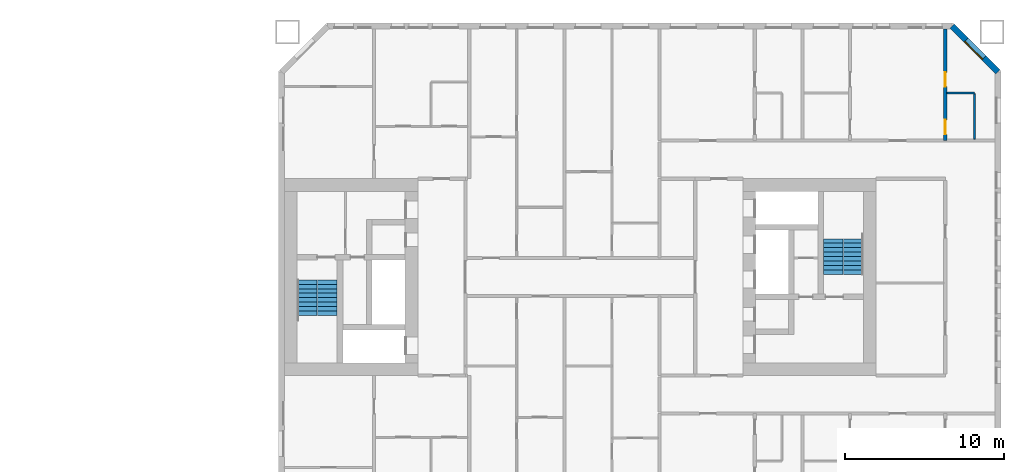
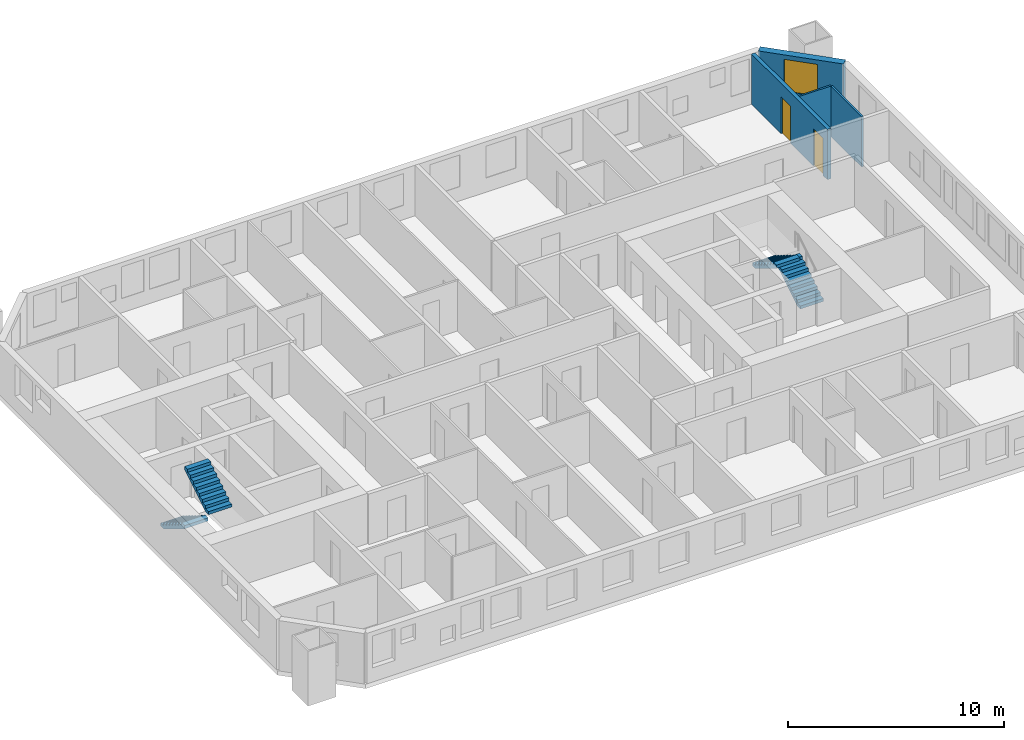
# One storey, part 15 of 17: 4 stair flights, 4 walls, 2 doors, 1 window, 3 openings, 2 elements without a shape of their own.
"""IFC4 building model written with IfcOpenShell, lengths in metres."""

from ifc_helpers import new_model, si_unit, direction, frame, frame_2d, origin, place, context, subcontext, project, spatial, polyline, rectangle, outline, extrude, material, layer, layer_set, type_object, element, fill, aggregate, save


model = new_model("IFC4")

# Units and contexts
model_context = context("Model", 3, precision=1e-05, world=origin(), true_north=direction((0.0, 1.0)))
body_context = subcontext(model_context, "Body", "Model", "MODEL_VIEW")
ifc_project = project(units=[si_unit("LENGTHUNIT", "METRE"), si_unit("AREAUNIT", "SQUARE_METRE"), si_unit("VOLUMEUNIT", "CUBIC_METRE"), si_unit("PLANEANGLEUNIT", "RADIAN"), si_unit("MASSUNIT", "GRAM", prefix="KILO")], contexts=[model_context])

# Site, building, storey
site_placement = place(None, origin())
site = spatial("IfcSite", under=ifc_project, at=site_placement, CompositionType="ELEMENT")
building_placement = place(site_placement, origin())
building = spatial("IfcBuilding", under=site, at=building_placement, Name="Tuart Gate Housing", CompositionType="ELEMENT")
storey_placement = place(building_placement, frame((0.0, 0.0, 47.39990234375)))
storey = spatial("IfcBuildingStorey", under=building, at=storey_placement, Name="L12", CompositionType="ELEMENT", Elevation=47.39990234375)

# Wall, opening, window
ifc_material_1 = material(Name="Brick", Category="masonry")
ifc_layer_1 = layer(ifc_material_1, 0.360107421875)
ifc_layer_set_1 = layer_set([ifc_layer_1], Name="Brick pier and spandrel wall 360")
wall_type_1 = type_object("IfcWallType", Name="Brick pier and spandrel wall 360", PredefinedType="STANDARD", material=ifc_layer_set_1)
wall_1_placement = place(storey_placement, frame((176.320068359375, 82.92529296875, 0.0), z_axis=(0.0, 0.0, 1.0), x_axis=(-0.707106781187, 0.707106781187, 0.0)))
wall_1 = element("IfcWall", 1, at=wall_1_placement, inside=storey, type_object=wall_type_1, Name="External wall B-NE L12", PredefinedType="STANDARD", context=body_context, shape_type="SweptSolid", body=[
    extrude(rectangle(XDim=4.09375, YDim=0.360107421875, at=frame_2d((2.046875, 0.0))), origin(), (0.0, 0.0, 1.0), 2.85009765625),
])
opening_1_placement = place(wall_1_placement, frame((1.2470703125, 0.0, 0.800048828125)))
opening_1 = element("IfcOpeningElement", 2, at=opening_1_placement, cuts=wall_1, Name="Opening W1", PredefinedType="OPENING", context=body_context, shape_type="SweptSolid", body=[
    extrude(rectangle(XDim=1.60009765625, YDim=1.800048828125, at=frame_2d((0.800048828125, 0.89990234375))), frame((0.0, 0.18994140625, 0.0), z_axis=(0.0, -1.0, 0.0), x_axis=(1.0, 0.0, 0.0)), (0.0, 0.0, 1.0), 0.380126953125),
])
ifc_material_2 = material(Name="Aluminium frame with clear glass", Category="aluminium")
window_type = type_object("IfcWindowType", Name="Punched window 1600 x 1800", PartitioningType="SINGLE_PANEL", PredefinedType="WINDOW", material=ifc_material_2)
window_placement = place(opening_1_placement, origin())
window = element("IfcWindow", 3, at=window_placement, inside=storey, type_object=window_type, Name="Window W1", OverallHeight=1.800048828125, OverallWidth=1.60009765625, PartitioningType="SINGLE_PANEL", PredefinedType="WINDOW", context=body_context, shape_type="SweptSolid", body=[
    extrude(rectangle(XDim=1.60009765625, YDim=1.800048828125, at=frame_2d((0.800048828125, 0.89990234375))), frame((0.0, 0.150146484375, 0.0), z_axis=(0.0, -1.0, 0.0), x_axis=(1.0, 0.0, 0.0)), (0.0, 0.0, 1.0), 0.06005859375),
])
fill(opening_1, window)

# Walls
ifc_material_3 = material(Name="Gypsum board on steel studs", Category="steel")
ifc_layer_2 = layer(ifc_material_3, 0.10009765625)
ifc_layer_set_2 = layer_set([ifc_layer_2], Name="Partition 100")
wall_type_2 = type_object("IfcWallType", Name="Partition 100", PredefinedType="PARTITIONING", material=ifc_layer_set_2)
wall_2_placement = place(storey_placement, frame((173.10009765625, 81.60009765625, 0.0), z_axis=(0.0, 0.0, 1.0), x_axis=(1.0, 0.0, 0.0)))
element("IfcWall", 4, at=wall_2_placement, inside=storey, type_object=wall_type_2, Name="Partition 100", PredefinedType="PARTITIONING", context=body_context, shape_type="SweptSolid", body=[
    extrude(rectangle(XDim=1.739990234375, YDim=0.10009765625, at=frame_2d((0.8701171875, 0.0))), origin(), (0.0, 0.0, 1.0), 2.85009765625),
])
wall_3_placement = place(storey_placement, frame((174.840087890625, 78.699951171875, 0.0), z_axis=(0.0, 0.0, 1.0), x_axis=(0.0, 1.0, 0.0)))
element("IfcWall", 5, at=wall_3_placement, inside=storey, type_object=wall_type_2, Name="Partition 100", PredefinedType="PARTITIONING", context=body_context, shape_type="SweptSolid", body=[
    extrude(rectangle(XDim=2.85009765625, YDim=0.10009765625, at=frame_2d((1.425048828125, 0.0))), origin(), (0.0, 0.0, 1.0), 2.85009765625),
])

# Wall, openings, doors
ifc_material_4 = material(Name="Concrete C40", Category="concrete")
ifc_layer_3 = layer(ifc_material_4, 0.199951171875)
ifc_layer_set_3 = layer_set([ifc_layer_3], Name="Party wall concrete C40 200")
wall_type_3 = type_object("IfcWallType", Name="Party wall concrete C40 200", PredefinedType="SOLIDWALL", material=ifc_layer_set_3)
wall_4_placement = place(storey_placement, frame((173.0, 78.60009765625, 0.0), z_axis=(0.0, 0.0, 1.0), x_axis=(0.0, 1.0, 0.0)))
wall_4 = element("IfcWall", 6, at=wall_4_placement, inside=storey, type_object=wall_type_3, Name="Party wall concrete C40 200", PredefinedType="SOLIDWALL", context=body_context, shape_type="SweptSolid", body=[
    extrude(rectangle(XDim=7.039794921875, YDim=0.199951171875, at=frame_2d((3.52001953125, 0.0))), origin(), (0.0, 0.0, 1.0), 2.85009765625),
])
opening_2_placement = place(wall_4_placement, frame((3.39990234375, 0.0, 0.0)))
opening_2 = element("IfcOpeningElement", 7, at=opening_2_placement, cuts=wall_4, Name="Opening D661", PredefinedType="OPENING", context=body_context, shape_type="SweptSolid", body=[
    extrude(rectangle(XDim=0.89990234375, YDim=2.10009765625, at=frame_2d((0.449951171875, 1.050048828125))), frame((0.0, 0.10986328125, 0.0), z_axis=(0.0, -1.0, 0.0), x_axis=(1.0, 0.0, 0.0)), (0.0, 0.0, 1.0), 0.219970703125),
])
opening_3_placement = place(wall_4_placement, frame((0.39990234375, 0.0, 0.0)))
opening_3 = element("IfcOpeningElement", 8, at=opening_3_placement, cuts=wall_4, Name="Opening D660", PredefinedType="OPENING", context=body_context, shape_type="SweptSolid", body=[
    extrude(rectangle(XDim=0.89990234375, YDim=2.10009765625, at=frame_2d((0.449951171875, 1.050048828125))), frame((0.0, 0.10986328125, 0.0), z_axis=(0.0, -1.0, 0.0), x_axis=(1.0, 0.0, 0.0)), (0.0, 0.0, 1.0), 0.219970703125),
])
ifc_material_5 = material(Name="Timber door leaf in steel frame", Category="steel")
door_type_1 = type_object("IfcDoorType", Name="Bathroom door 900 RH", OperationType="SINGLE_SWING_RIGHT", PredefinedType="DOOR", material=ifc_material_5)
door_1_placement = place(opening_3_placement, frame((0.89990234375, 0.0, 0.0), z_axis=(0.0, 0.0, 1.0), x_axis=(-1.0, 0.0, 0.0)))
door_1 = element("IfcDoor", 9, at=door_1_placement, inside=storey, type_object=door_type_1, Name="Bathroom door", OperationType="SINGLE_SWING_RIGHT", OverallHeight=2.10009765625, OverallWidth=0.89990234375, PredefinedType="DOOR", context=body_context, shape_type="SweptSolid", body=[
    extrude(rectangle(XDim=0.89990234375, YDim=2.10009765625, at=frame_2d((0.449951171875, 1.050048828125))), frame((0.0, 0.025146484375, 0.0), z_axis=(0.0, -1.0, 0.0), x_axis=(1.0, 0.0, 0.0)), (0.0, 0.0, 1.0), 0.050048828125),
])
fill(opening_3, door_1)
ifc_material_6 = material(Name="Timber door leaf in steel frame", Category="steel")
door_type_2 = type_object("IfcDoorType", Name="Internal door 900 RH", OperationType="SINGLE_SWING_RIGHT", PredefinedType="DOOR", material=ifc_material_6)
door_2_placement = place(opening_2_placement, frame((0.89990234375, 0.0, 0.0), z_axis=(0.0, 0.0, 1.0), x_axis=(-1.0, 0.0, 0.0)))
door_2 = element("IfcDoor", 10, at=door_2_placement, inside=storey, type_object=door_type_2, Name="Internal door", OperationType="SINGLE_SWING_RIGHT", OverallHeight=2.10009765625, OverallWidth=0.89990234375, PredefinedType="DOOR", context=body_context, shape_type="SweptSolid", body=[
    extrude(rectangle(XDim=0.89990234375, YDim=2.10009765625, at=frame_2d((0.449951171875, 1.050048828125))), frame((0.0, 0.025146484375, 0.0), z_axis=(0.0, -1.0, 0.0), x_axis=(1.0, 0.0, 0.0)), (0.0, 0.0, 1.0), 0.050048828125),
])
fill(opening_2, door_2)

# Stair, stair flights
ifc_material_7 = material(Name="Concrete C40", Category="concrete")
stair_type = type_object("IfcStairType", Name="Core stair 1250", PredefinedType="HALF_TURN_STAIR", material=ifc_material_7)
stair_1_placement = place(storey_placement, origin())
stair_1 = element("IfcStair", 11, at=stair_1_placement, inside=storey, type_object=stair_type, Name="Stair SB1", PredefinedType="HALF_TURN_STAIR")
ifc_material_8 = material(Name="Concrete C40", Category="concrete")
stair_flight_type = type_object("IfcStairFlightType", Name="Stair flight 1250, 9 risers 172 x 280", PredefinedType="STRAIGHT", material=ifc_material_8)
stair_flight_1_placement = place(storey_placement, frame((132.784912109375, 69.824951171875, 0.0), z_axis=(0.0, 0.0, 1.0), x_axis=(0.0, -1.0, 0.0)))
stair_flight_1 = element("IfcStairFlight", 12, at=stair_flight_1_placement, type_object=stair_flight_type, Name="SB1 flight 1", NumberOfRisers=9, NumberOfTreads=8, PredefinedType="STRAIGHT", RiserHeight=0.172222222, TreadLength=0.28, context=body_context, shape_type="SweptSolid", body=[
    extrude(outline(polyline([(0.0, 0.0), (0.0, 0.172119140625), (0.280029296875, 0.172119140625), (0.280029296875, 0.344482421875), (0.56005859375, 0.344482421875), (0.56005859375, 0.5166015625), (0.840087890625, 0.5166015625), (0.840087890625, 0.68896484375), (1.1201171875, 0.68896484375), (1.1201171875, 0.861083984375), (1.39990234375, 0.861083984375), (1.39990234375, 1.033447265625), (1.679931640625, 1.033447265625), (1.679931640625, 1.20556640625), (1.9599609375, 1.20556640625), (1.9599609375, 1.377685546875), (2.239990234375, 1.377685546875), (2.239990234375, 1.550048828125), (2.239990234375, 1.201904296875), (0.2861328125, 0.0), (0.0, 0.0)])), frame((0.0, 0.625, 0.0), z_axis=(0.0, -1.0, 0.0), x_axis=(1.0, 0.0, 0.0)), (0.0, 0.0, 1.0), 1.25),
])
stair_flight_2_placement = place(storey_placement, frame((134.06005859375, 67.5849609375, 1.550048828125), z_axis=(0.0, 0.0, 1.0), x_axis=(0.0, 1.0, 0.0)))
stair_flight_2 = element("IfcStairFlight", 13, at=stair_flight_2_placement, type_object=stair_flight_type, Name="SB1 flight 2", NumberOfRisers=9, NumberOfTreads=8, PredefinedType="STRAIGHT", RiserHeight=0.172222222, TreadLength=0.28, context=body_context, shape_type="SweptSolid", body=[
    extrude(outline(polyline([(0.0, 0.0), (0.0, 0.172119140625), (0.280029296875, 0.172119140625), (0.280029296875, 0.344482421875), (0.56005859375, 0.344482421875), (0.56005859375, 0.5166015625), (0.840087890625, 0.5166015625), (0.840087890625, 0.68896484375), (1.1201171875, 0.68896484375), (1.1201171875, 0.861083984375), (1.39990234375, 0.861083984375), (1.39990234375, 1.033447265625), (1.679931640625, 1.033447265625), (1.679931640625, 1.20556640625), (1.9599609375, 1.20556640625), (1.9599609375, 1.377685546875), (2.239990234375, 1.377685546875), (2.239990234375, 1.550048828125), (2.239990234375, 1.201904296875), (0.2861328125, 0.0), (0.0, 0.0)])), frame((0.0, 0.625, 0.0), z_axis=(0.0, -1.0, 0.0), x_axis=(1.0, 0.0, 0.0)), (0.0, 0.0, 1.0), 1.25),
])
aggregate(stair_1, [stair_flight_1, stair_flight_2])

stair_2_placement = place(storey_placement, origin())
stair_2 = element("IfcStair", 14, at=stair_2_placement, inside=storey, type_object=stair_type, Name="Stair SB2", PredefinedType="HALF_TURN_STAIR")
stair_flight_3_placement = place(storey_placement, frame((167.215087890625, 70.175048828125, 0.0), z_axis=(0.0, 0.0, 1.0), x_axis=(0.0, 1.0, 0.0)))
stair_flight_3 = element("IfcStairFlight", 15, at=stair_flight_3_placement, type_object=stair_flight_type, Name="SB2 flight 1", NumberOfRisers=9, NumberOfTreads=8, PredefinedType="STRAIGHT", RiserHeight=0.172222222, TreadLength=0.28, context=body_context, shape_type="SweptSolid", body=[
    extrude(outline(polyline([(0.0, 0.0), (0.0, 0.172119140625), (0.280029296875, 0.172119140625), (0.280029296875, 0.344482421875), (0.56005859375, 0.344482421875), (0.56005859375, 0.5166015625), (0.840087890625, 0.5166015625), (0.840087890625, 0.68896484375), (1.1201171875, 0.68896484375), (1.1201171875, 0.861083984375), (1.39990234375, 0.861083984375), (1.39990234375, 1.033447265625), (1.679931640625, 1.033447265625), (1.679931640625, 1.20556640625), (1.9599609375, 1.20556640625), (1.9599609375, 1.377685546875), (2.239990234375, 1.377685546875), (2.239990234375, 1.550048828125), (2.239990234375, 1.201904296875), (0.2861328125, 0.0), (0.0, 0.0)])), frame((0.0, 0.625, 0.0), z_axis=(0.0, -1.0, 0.0), x_axis=(1.0, 0.0, 0.0)), (0.0, 0.0, 1.0), 1.25),
])
stair_flight_4_placement = place(storey_placement, frame((165.93994140625, 72.4150390625, 1.550048828125), z_axis=(0.0, 0.0, 1.0), x_axis=(0.0, -1.0, 0.0)))
stair_flight_4 = element("IfcStairFlight", 16, at=stair_flight_4_placement, type_object=stair_flight_type, Name="SB2 flight 2", NumberOfRisers=9, NumberOfTreads=8, PredefinedType="STRAIGHT", RiserHeight=0.172222222, TreadLength=0.28, context=body_context, shape_type="SweptSolid", body=[
    extrude(outline(polyline([(0.0, 0.0), (0.0, 0.172119140625), (0.280029296875, 0.172119140625), (0.280029296875, 0.344482421875), (0.56005859375, 0.344482421875), (0.56005859375, 0.5166015625), (0.840087890625, 0.5166015625), (0.840087890625, 0.68896484375), (1.1201171875, 0.68896484375), (1.1201171875, 0.861083984375), (1.39990234375, 0.861083984375), (1.39990234375, 1.033447265625), (1.679931640625, 1.033447265625), (1.679931640625, 1.20556640625), (1.9599609375, 1.20556640625), (1.9599609375, 1.377685546875), (2.239990234375, 1.377685546875), (2.239990234375, 1.550048828125), (2.239990234375, 1.201904296875), (0.2861328125, 0.0), (0.0, 0.0)])), frame((0.0, 0.625, 0.0), z_axis=(0.0, -1.0, 0.0), x_axis=(1.0, 0.0, 0.0)), (0.0, 0.0, 1.0), 1.25),
])
aggregate(stair_2, [stair_flight_3, stair_flight_4])

save(model, "model.ifc")
